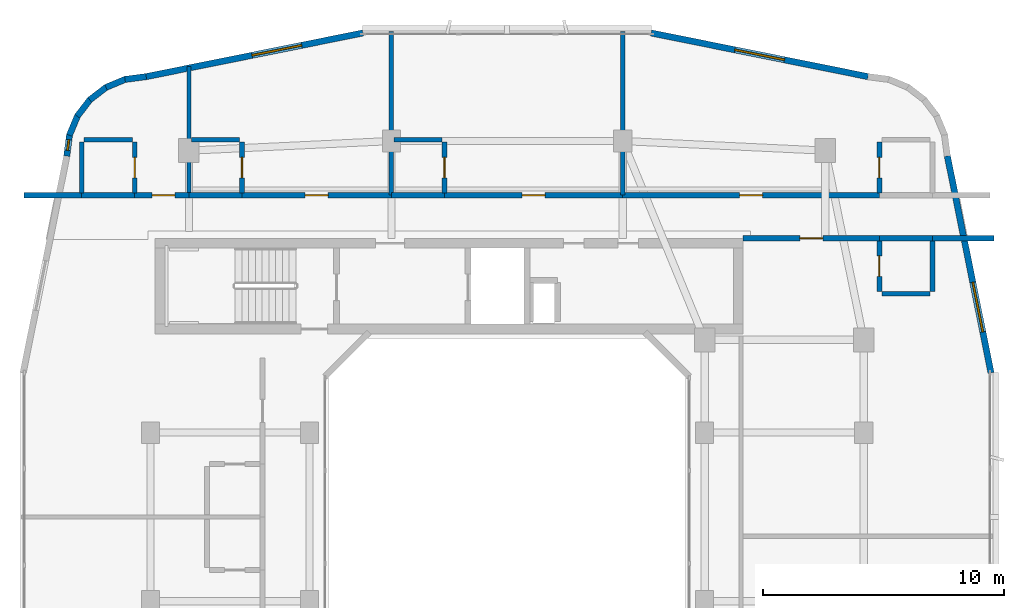
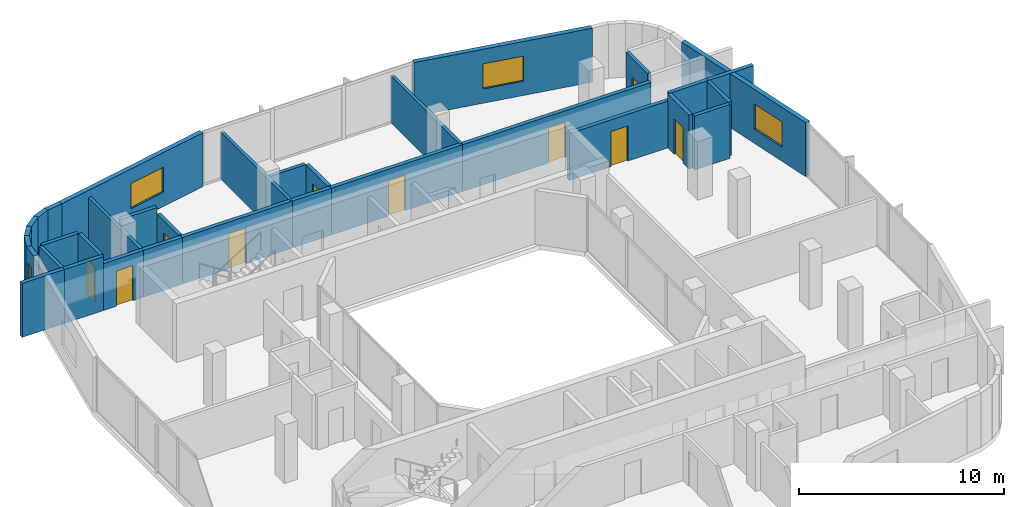
# One storey, part 9 of 14: 34 walls, 10 doors, 4 windows, 14 openings.
"""IFC4 building model written with IfcOpenShell, lengths in metres."""

from ifc_helpers import new_model, si_unit, derived_unit, direction, frame, frame_2d, origin, place, context, subcontext, project, spatial, rectangle, extrude, material, layer, layer_set, type_object, element, fill, save


model = new_model("IFC4")

# Units and contexts
model_context = context("Model", 3, precision=1e-05, world=origin(), true_north=direction((0.0, 1.0)))
body_context = subcontext(model_context, "Body", "Model", "MODEL_VIEW")
ifc_project = project(units=[si_unit("LENGTHUNIT", "METRE"), si_unit("AREAUNIT", "SQUARE_METRE"), si_unit("VOLUMEUNIT", "CUBIC_METRE"), si_unit("PLANEANGLEUNIT", "RADIAN"), si_unit("MASSUNIT", "GRAM", prefix="KILO"), derived_unit("THERMALTRANSMITTANCEUNIT", [(si_unit("POWERUNIT", "WATT"), 1), (si_unit("LENGTHUNIT", "METRE"), -2), (si_unit("THERMODYNAMICTEMPERATUREUNIT", "KELVIN"), -1)])], contexts=[model_context])

# Site, building, storey
site_placement = place(None, origin())
site = spatial("IfcSite", under=ifc_project, at=site_placement, CompositionType="ELEMENT")
building_placement = place(site_placement, origin())
building = spatial("IfcBuilding", under=site, at=building_placement, Name="Kivonza Crest Hotel", CompositionType="ELEMENT")
storey_placement = place(building_placement, frame((0.0, 0.0, 162.5)))
storey = spatial("IfcBuildingStorey", under=building, at=storey_placement, Name="L44", CompositionType="ELEMENT", Elevation=162.5)

# Walls
ifc_material_1 = material(Name="High-density acoustic masonry inter-tenancy wall", Category="masonry")
ifc_layer_1 = layer(ifc_material_1, 0.179931640625)
ifc_layer_set_1 = layer_set([ifc_layer_1], Name="High-density acoustic masonry inter-tenancy wall")
wall_type_1 = type_object("IfcWallType", Name="WL-ACOU-180", PredefinedType="SOLIDWALL", material=ifc_layer_set_1)
wall_1_placement = place(storey_placement, frame((7.800048828125, 38.35009765625, 0.0), z_axis=(0.0, 0.0, 1.0), x_axis=(0.0, 1.0, 0.0)))
element("IfcWall", 1, at=wall_1_placement, inside=storey, type_object=wall_type_1, Name="L44 interior partition WA-L44-T1N-DIV1", PredefinedType="SOLIDWALL", context=body_context, shape_type="SweptSolid", body=[
    extrude(rectangle(XDim=5.350830078125, YDim=0.179931640625, at=frame_2d((2.67529296875, 0.0))), origin(), (0.0, 0.0, 1.0), 2.794921875),
])
for number, where, z_axis, x_axis, name in (
    (2, (16.199951171875, 38.35009765625, 0.0), (0.0, 0.0, 1.0), (0.0, 1.0, 0.0), "L44 interior partition WA-L44-T1N-DIV2"),
    (3, (25.800048828125, 38.35009765625, 0.0), (0.0, 0.0, 1.0), (0.0, 1.0, 0.0), "L44 interior partition WA-L44-T1N-DIV3"),
):
    element("IfcWall", number, at=place(storey_placement, frame(where, z_axis=z_axis, x_axis=x_axis)), inside=storey, type_object=wall_type_1, Name=name, PredefinedType="SOLIDWALL", context=body_context, shape_type="SweptSolid", body=[
        extrude(rectangle(XDim=6.789794921875, YDim=0.179931640625, at=frame_2d((3.39501953125, 0.0))), origin(), (0.0, 0.0, 1.0), 2.794921875),
    ])
ifc_material_2 = material(Name="Autoclaved aerated concrete blockwork", Category="masonry")
ifc_layer_2 = layer(ifc_material_2, 0.219970703125)
ifc_layer_set_2 = layer_set([ifc_layer_2], Name="Autoclaved aerated concrete blockwork")
wall_type_2 = type_object("IfcWallType", Name="WL-ACOU-220", PredefinedType="SOLIDWALL", material=ifc_layer_set_2)
wall_2_placement = place(storey_placement, frame((0.9599609375, 38.35009765625, 0.0), z_axis=(0.0, 0.0, 1.0), x_axis=(1.0, 0.0, 0.0)))
element("IfcWall", 4, at=wall_2_placement, inside=storey, type_object=wall_type_2, Name="L44 interior partition WA-L44-N01-XCORR", PredefinedType="SOLIDWALL", context=body_context, shape_type="SweptSolid", body=[
    extrude(rectangle(XDim=2.39013671875, YDim=0.219970703125, at=frame_2d((1.195068359375, 0.0))), origin(), (0.0, 0.0, 1.0), 3.219970703125),
])
wall_3_placement = place(storey_placement, frame((3.35009765625, 38.35009765625, 0.0), z_axis=(0.0, 0.0, 1.0), x_axis=(1.0, 0.0, 0.0)))
element("IfcWall", 5, at=wall_3_placement, inside=storey, type_object=wall_type_2, Name="L44 interior partition WA-L44-N01-BCORR", PredefinedType="SOLIDWALL", context=body_context, shape_type="SweptSolid", body=[
    extrude(rectangle(XDim=2.199951171875, YDim=0.219970703125, at=frame_2d((1.10009765625, 0.0))), origin(), (0.0, 0.0, 1.0), 3.219970703125),
])

# Wall, opening, door
wall_4_placement = place(storey_placement, frame((5.550048828125, 38.35009765625, 0.0), z_axis=(0.0, 0.0, 1.0), x_axis=(1.0, 0.0, 0.0)))
wall_4 = element("IfcWall", 6, at=wall_4_placement, inside=storey, type_object=wall_type_2, Name="L44 interior partition WA-L44-N01-MCORR", PredefinedType="SOLIDWALL", context=body_context, shape_type="SweptSolid", body=[
    extrude(rectangle(XDim=2.25, YDim=0.219970703125, at=frame_2d((1.125, 0.0))), origin(), (0.0, 0.0, 1.0), 2.794921875),
])
opening_1_placement = place(wall_4_placement, frame((0.719970703125, 0.0, 0.0)))
opening_1 = element("IfcOpeningElement", 7, at=opening_1_placement, cuts=wall_4, Name="Opening DU-60", PredefinedType="OPENING", context=body_context, shape_type="SweptSolid", body=[
    extrude(rectangle(XDim=0.949951171875, YDim=2.10009765625, at=frame_2d((0.47509765625, 1.050048828125))), frame((0.0, 0.1201171875, 0.0), z_axis=(0.0, -1.0, 0.0), x_axis=(1.0, 0.0, 0.0)), (0.0, 0.0, 1.0), 0.239990234375),
])
ifc_material_3 = material(Name="Hardwood timber oak", Category="wood")
door_type_1 = type_object("IfcDoorType", Name="DR-UNIT-950", OperationType="NOTDEFINED", PredefinedType="DOOR", material=ifc_material_3)
door_1_placement = place(opening_1_placement, origin())
door_1 = element("IfcDoor", 8, at=door_1_placement, inside=storey, type_object=door_type_1, Name="L44 N01 guest unit entrance fire door", OperationType="SINGLE_SWING_LEFT", OverallHeight=2.10009765625, OverallWidth=0.949951171875, PredefinedType="DOOR", context=body_context, shape_type="SweptSolid", body=[
    extrude(rectangle(XDim=0.949951171875, YDim=2.10009765625, at=frame_2d((0.47509765625, 1.050048828125))), frame((0.0, 0.02490234375, 0.0), z_axis=(0.0, -1.0, 0.0), x_axis=(1.0, 0.0, 0.0)), (0.0, 0.0, 1.0), 0.050048828125),
])
fill(opening_1, door_1)

# Wall
wall_5_placement = place(storey_placement, frame((7.800048828125, 38.35009765625, 0.0), z_axis=(0.0, 0.0, 1.0), x_axis=(1.0, 0.0, 0.0)))
element("IfcWall", 9, at=wall_5_placement, inside=storey, type_object=wall_type_2, Name="L44 interior partition WA-L44-N02-BCORR", PredefinedType="SOLIDWALL", context=body_context, shape_type="SweptSolid", body=[
    extrude(rectangle(XDim=2.199951171875, YDim=0.219970703125, at=frame_2d((1.10009765625, 0.0))), origin(), (0.0, 0.0, 1.0), 2.794921875),
])

# Wall, opening, door
wall_6_placement = place(storey_placement, frame((10.0, 38.35009765625, 0.0), z_axis=(0.0, 0.0, 1.0), x_axis=(1.0, 0.0, 0.0)))
wall_6 = element("IfcWall", 10, at=wall_6_placement, inside=storey, type_object=wall_type_2, Name="L44 interior partition WA-L44-N02-MCORR", PredefinedType="SOLIDWALL", context=body_context, shape_type="SweptSolid", body=[
    extrude(rectangle(XDim=6.199951171875, YDim=0.219970703125, at=frame_2d((3.10009765625, 0.0))), origin(), (0.0, 0.0, 1.0), 2.794921875),
])
opening_2_placement = place(wall_6_placement, frame((2.625, 0.0, 0.0)))
opening_2 = element("IfcOpeningElement", 11, at=opening_2_placement, cuts=wall_6, Name="Opening DU-60", PredefinedType="OPENING", context=body_context, shape_type="SweptSolid", body=[
    extrude(rectangle(XDim=0.949951171875, YDim=2.10009765625, at=frame_2d((0.47509765625, 1.050048828125))), frame((0.0, 0.1201171875, 0.0), z_axis=(0.0, -1.0, 0.0), x_axis=(1.0, 0.0, 0.0)), (0.0, 0.0, 1.0), 0.239990234375),
])
door_2_placement = place(opening_2_placement, origin())
door_2 = element("IfcDoor", 12, at=door_2_placement, inside=storey, type_object=door_type_1, Name="L44 N02 guest unit entrance fire door", OperationType="SINGLE_SWING_RIGHT", OverallHeight=2.10009765625, OverallWidth=0.949951171875, PredefinedType="DOOR", context=body_context, shape_type="SweptSolid", body=[
    extrude(rectangle(XDim=0.949951171875, YDim=2.10009765625, at=frame_2d((0.47509765625, 1.050048828125))), frame((0.0, 0.02490234375, 0.0), z_axis=(0.0, -1.0, 0.0), x_axis=(1.0, 0.0, 0.0)), (0.0, 0.0, 1.0), 0.050048828125),
])
fill(opening_2, door_2)

# Wall
wall_7_placement = place(storey_placement, frame((16.199951171875, 38.35009765625, 0.0), z_axis=(0.0, 0.0, 1.0), x_axis=(1.0, 0.0, 0.0)))
element("IfcWall", 13, at=wall_7_placement, inside=storey, type_object=wall_type_2, Name="L44 interior partition WA-L44-N03-BCORR", PredefinedType="SOLIDWALL", context=body_context, shape_type="SweptSolid", body=[
    extrude(rectangle(XDim=2.199951171875, YDim=0.219970703125, at=frame_2d((1.10009765625, 0.0))), origin(), (0.0, 0.0, 1.0), 2.794921875),
])

# Wall, opening, door
wall_8_placement = place(storey_placement, frame((18.39990234375, 38.35009765625, 0.0), z_axis=(0.0, 0.0, 1.0), x_axis=(1.0, 0.0, 0.0)))
wall_8 = element("IfcWall", 14, at=wall_8_placement, inside=storey, type_object=wall_type_2, Name="L44 interior partition WA-L44-N03-MCORR", PredefinedType="SOLIDWALL", context=body_context, shape_type="SweptSolid", body=[
    extrude(rectangle(XDim=7.400146484375, YDim=0.219970703125, at=frame_2d((3.7001953125, 0.0))), origin(), (0.0, 0.0, 1.0), 2.794921875),
])
opening_3_placement = place(wall_8_placement, frame((3.22509765625, 0.0, 0.0)))
opening_3 = element("IfcOpeningElement", 15, at=opening_3_placement, cuts=wall_8, Name="Opening DU-60", PredefinedType="OPENING", context=body_context, shape_type="SweptSolid", body=[
    extrude(rectangle(XDim=0.949951171875, YDim=2.10009765625, at=frame_2d((0.47509765625, 1.050048828125))), frame((0.0, 0.1201171875, 0.0), z_axis=(0.0, -1.0, 0.0), x_axis=(1.0, 0.0, 0.0)), (0.0, 0.0, 1.0), 0.239990234375),
])
door_3_placement = place(opening_3_placement, origin())
door_3 = element("IfcDoor", 16, at=door_3_placement, inside=storey, type_object=door_type_1, Name="L44 N03 guest unit entrance fire door", OperationType="SINGLE_SWING_LEFT", OverallHeight=2.10009765625, OverallWidth=0.949951171875, PredefinedType="DOOR", context=body_context, shape_type="SweptSolid", body=[
    extrude(rectangle(XDim=0.949951171875, YDim=2.10009765625, at=frame_2d((0.47509765625, 1.050048828125))), frame((0.0, 0.02490234375, 0.0), z_axis=(0.0, -1.0, 0.0), x_axis=(1.0, 0.0, 0.0)), (0.0, 0.0, 1.0), 0.050048828125),
])
fill(opening_3, door_3)

wall_9_placement = place(storey_placement, frame((25.800048828125, 38.35009765625, 0.0), z_axis=(0.0, 0.0, 1.0), x_axis=(1.0, 0.0, 0.0)))
wall_9 = element("IfcWall", 17, at=wall_9_placement, inside=storey, type_object=wall_type_2, Name="L44 interior partition WA-L44-N04-MCORR", PredefinedType="SOLIDWALL", context=body_context, shape_type="SweptSolid", body=[
    extrude(rectangle(XDim=10.64990234375, YDim=0.219970703125, at=frame_2d((5.324951171875, 0.0))), origin(), (0.0, 0.0, 1.0), 2.794921875),
])
opening_4_placement = place(wall_9_placement, frame((4.85009765625, 0.0, 0.0)))
opening_4 = element("IfcOpeningElement", 18, at=opening_4_placement, cuts=wall_9, Name="Opening DU-60", PredefinedType="OPENING", context=body_context, shape_type="SweptSolid", body=[
    extrude(rectangle(XDim=0.949951171875, YDim=2.10009765625, at=frame_2d((0.47509765625, 1.050048828125))), frame((0.0, 0.1201171875, 0.0), z_axis=(0.0, -1.0, 0.0), x_axis=(1.0, 0.0, 0.0)), (0.0, 0.0, 1.0), 0.239990234375),
])
door_4_placement = place(opening_4_placement, origin())
door_4 = element("IfcDoor", 19, at=door_4_placement, inside=storey, type_object=door_type_1, Name="L44 N04 guest unit entrance fire door", OperationType="SINGLE_SWING_RIGHT", OverallHeight=2.10009765625, OverallWidth=0.949951171875, PredefinedType="DOOR", context=body_context, shape_type="SweptSolid", body=[
    extrude(rectangle(XDim=0.949951171875, YDim=2.10009765625, at=frame_2d((0.47509765625, 1.050048828125))), frame((0.0, 0.02490234375, 0.0), z_axis=(0.0, -1.0, 0.0), x_axis=(1.0, 0.0, 0.0)), (0.0, 0.0, 1.0), 0.050048828125),
])
fill(opening_4, door_4)

# Walls
wall_10_placement = place(storey_placement, frame((38.64990234375, 36.56005859375, 0.0), z_axis=(0.0, 0.0, 1.0), x_axis=(1.0, 0.0, 0.0)))
element("IfcWall", 20, at=wall_10_placement, inside=storey, type_object=wall_type_2, Name="L44 interior partition WA-L44-EN10-XCORR", PredefinedType="SOLIDWALL", context=body_context, shape_type="SweptSolid", body=[
    extrude(rectangle(XDim=2.550048828125, YDim=0.219970703125, at=frame_2d((1.27490234375, 0.0))), origin(), (0.0, 0.0, 1.0), 3.219970703125),
])
wall_11_placement = place(storey_placement, frame((36.449951171875, 36.56005859375, 0.0), z_axis=(0.0, 0.0, 1.0), x_axis=(1.0, 0.0, 0.0)))
element("IfcWall", 21, at=wall_11_placement, inside=storey, type_object=wall_type_2, Name="L44 interior partition WA-L44-EN10-BCORR", PredefinedType="SOLIDWALL", context=body_context, shape_type="SweptSolid", body=[
    extrude(rectangle(XDim=2.199951171875, YDim=0.219970703125, at=frame_2d((1.10009765625, 0.0))), origin(), (0.0, 0.0, 1.0), 3.219970703125),
])

# Wall, opening, door
wall_12_placement = place(storey_placement, frame((30.800048828125, 36.56005859375, 0.0), z_axis=(0.0, 0.0, 1.0), x_axis=(1.0, 0.0, 0.0)))
wall_12 = element("IfcWall", 22, at=wall_12_placement, inside=storey, type_object=wall_type_2, Name="L44 interior partition WA-L44-EN10-MCORR", PredefinedType="SOLIDWALL", context=body_context, shape_type="SweptSolid", body=[
    extrude(rectangle(XDim=5.64990234375, YDim=0.219970703125, at=frame_2d((2.824951171875, 0.0))), origin(), (0.0, 0.0, 1.0), 2.794921875),
])
opening_5_placement = place(wall_12_placement, frame((2.35009765625, 0.0, 0.0)))
opening_5 = element("IfcOpeningElement", 23, at=opening_5_placement, cuts=wall_12, Name="Opening DU-60", PredefinedType="OPENING", context=body_context, shape_type="SweptSolid", body=[
    extrude(rectangle(XDim=0.949951171875, YDim=2.10009765625, at=frame_2d((0.47509765625, 1.050048828125))), frame((0.0, 0.1201171875, 0.0), z_axis=(0.0, -1.0, 0.0), x_axis=(1.0, 0.0, 0.0)), (0.0, 0.0, 1.0), 0.239990234375),
])
door_5_placement = place(opening_5_placement, frame((0.949951171875, 0.0, 0.0), z_axis=(0.0, 0.0, 1.0), x_axis=(-1.0, 0.0, 0.0)))
door_5 = element("IfcDoor", 24, at=door_5_placement, inside=storey, type_object=door_type_1, Name="L44 EN10 guest unit entrance fire door", OperationType="SINGLE_SWING_LEFT", OverallHeight=2.10009765625, OverallWidth=0.949951171875, PredefinedType="DOOR", context=body_context, shape_type="SweptSolid", body=[
    extrude(rectangle(XDim=0.949951171875, YDim=2.10009765625, at=frame_2d((0.47509765625, 1.050048828125))), frame((0.0, 0.02490234375, 0.0), z_axis=(0.0, -1.0, 0.0), x_axis=(1.0, 0.0, 0.0)), (0.0, 0.0, 1.0), 0.050048828125),
])
fill(opening_5, door_5)

# Wall, opening, window
ifc_material_4 = material(Name="Precast concrete C40/50", Category="concrete")
ifc_layer_3 = layer(ifc_material_4, 0.260009765625)
ifc_layer_set_3 = layer_set([ifc_layer_3], Name="Precast concrete C40/50")
wall_type_3 = type_object("IfcWallType", Name="WL-EXT-260", PredefinedType="STANDARD", material=ifc_layer_set_3)
wall_13_placement = place(storey_placement, frame((41.083984375, 30.97998046875, 0.0), z_axis=(0.0, 0.0, 1.0), x_axis=(-0.197435082048, 0.980315963543, 0.0)))
wall_13 = element("IfcWall", 25, at=wall_13_placement, inside=storey, type_object=wall_type_3, Name="L44 T1 exterior insulated wall 18", PredefinedType="STANDARD", context=body_context, shape_type="SweptSolid", body=[
    extrude(rectangle(XDim=9.1826171875, YDim=0.260009765625, at=frame_2d((4.59130859375, 0.0))), origin(), (0.0, 0.0, 1.0), 3.219970703125),
])
opening_6_placement = place(wall_13_placement, frame((1.73388671875, 0.0, 0.85009765625)))
opening_6 = element("IfcOpeningElement", 26, at=opening_6_placement, cuts=wall_13, Name="Opening WN-04", PredefinedType="OPENING", context=body_context, shape_type="SweptSolid", body=[
    extrude(rectangle(XDim=2.10009765625, YDim=1.5, at=frame_2d((1.050048828125, 0.75))), frame((0.0, 0.14013671875, 0.0), z_axis=(0.0, -1.0, 0.0), x_axis=(1.0, 0.0, 0.0)), (0.0, 0.0, 1.0), 0.280029296875),
])
ifc_material_5 = material(Name="Thermally broken bronze aluminium and low-E double glazing", Category="aluminium")
window_type_1 = type_object("IfcWindowType", Name="WN-210x150", PartitioningType="DOUBLE_PANEL_VERTICAL", PredefinedType="WINDOW", material=ifc_material_5)
window_1_placement = place(opening_6_placement, origin())
window_1 = element("IfcWindow", 27, at=window_1_placement, inside=storey, type_object=window_type_1, Name="L44 T1 facade window 18", OverallHeight=1.5, OverallWidth=2.10009765625, PartitioningType="SINGLE_PANEL", PredefinedType="WINDOW", context=body_context, shape_type="SweptSolid", body=[
    extrude(rectangle(XDim=2.10009765625, YDim=1.5, at=frame_2d((1.050048828125, 0.75))), frame((0.0, 0.030029296875, 0.0), z_axis=(0.0, -1.0, 0.0), x_axis=(1.0, 0.0, 0.0)), (0.0, 0.0, 1.0), 0.06005859375),
])
fill(opening_6, window_1)

wall_14_placement = place(storey_placement, frame((35.98193359375, 43.27099609375, 0.0), z_axis=(0.0, 0.0, 1.0), x_axis=(-0.980315963543, 0.197435082048, 0.0)))
wall_14 = element("IfcWall", 28, at=wall_14_placement, inside=storey, type_object=wall_type_3, Name="L44 T1 exterior insulated wall 25", PredefinedType="STANDARD", context=body_context, shape_type="SweptSolid", body=[
    extrude(rectangle(XDim=9.1826171875, YDim=0.260009765625, at=frame_2d((4.59130859375, 0.0))), origin(), (0.0, 0.0, 1.0), 3.219970703125),
])
opening_7_placement = place(wall_14_placement, frame((3.541015625, 0.0, 0.85009765625)))
opening_7 = element("IfcOpeningElement", 29, at=opening_7_placement, cuts=wall_14, Name="Opening WN-04", PredefinedType="OPENING", context=body_context, shape_type="SweptSolid", body=[
    extrude(rectangle(XDim=2.10009765625, YDim=1.5, at=frame_2d((1.050048828125, 0.75))), frame((0.0, 0.14013671875, 0.0), z_axis=(0.0, -1.0, 0.0), x_axis=(1.0, 0.0, 0.0)), (0.0, 0.0, 1.0), 0.280029296875),
])
window_2_placement = place(opening_7_placement, origin())
window_2 = element("IfcWindow", 30, at=window_2_placement, inside=storey, type_object=window_type_1, Name="L44 T1 facade window 25", OverallHeight=1.5, OverallWidth=2.10009765625, PartitioningType="SINGLE_PANEL", PredefinedType="WINDOW", context=body_context, shape_type="SweptSolid", body=[
    extrude(rectangle(XDim=2.10009765625, YDim=1.5, at=frame_2d((1.050048828125, 0.75))), frame((0.0, 0.030029296875, 0.0), z_axis=(0.0, -1.0, 0.0), x_axis=(1.0, 0.0, 0.0)), (0.0, 0.0, 1.0), 0.06005859375),
])
fill(opening_7, window_2)

wall_15_placement = place(storey_placement, frame((15.02001953125, 45.083984375, 0.0), z_axis=(0.0, 0.0, 1.0), x_axis=(-0.980315963543, -0.197435082048, 0.0)))
wall_15 = element("IfcWall", 31, at=wall_15_placement, inside=storey, type_object=wall_type_3, Name="L44 T1 exterior insulated wall 27", PredefinedType="STANDARD", context=body_context, shape_type="SweptSolid", body=[
    extrude(rectangle(XDim=9.1826171875, YDim=0.260009765625, at=frame_2d((4.59130859375, 0.0))), origin(), (0.0, 0.0, 1.0), 3.219970703125),
])
opening_8_placement = place(wall_15_placement, frame((2.594970703125, 0.0, 0.85009765625)))
opening_8 = element("IfcOpeningElement", 32, at=opening_8_placement, cuts=wall_15, Name="Opening WN-04", PredefinedType="OPENING", context=body_context, shape_type="SweptSolid", body=[
    extrude(rectangle(XDim=2.10009765625, YDim=1.5, at=frame_2d((1.050048828125, 0.75))), frame((0.0, 0.14013671875, 0.0), z_axis=(0.0, -1.0, 0.0), x_axis=(1.0, 0.0, 0.0)), (0.0, 0.0, 1.0), 0.280029296875),
])
window_3_placement = place(opening_8_placement, origin())
window_3 = element("IfcWindow", 33, at=window_3_placement, inside=storey, type_object=window_type_1, Name="L44 T1 facade window 27", OverallHeight=1.5, OverallWidth=2.10009765625, PartitioningType="SINGLE_PANEL", PredefinedType="WINDOW", context=body_context, shape_type="SweptSolid", body=[
    extrude(rectangle(XDim=2.10009765625, YDim=1.5, at=frame_2d((1.050048828125, 0.75))), frame((0.0, 0.030029296875, 0.0), z_axis=(0.0, -1.0, 0.0), x_axis=(1.0, 0.0, 0.0)), (0.0, 0.0, 1.0), 0.06005859375),
])
fill(opening_8, window_3)

# Walls
wall_16_placement = place(storey_placement, frame((6.02490234375, 43.27197265625, 0.0), z_axis=(0.0, 0.0, 1.0), x_axis=(-0.991388484223, -0.130953706898, 0.0)))
element("IfcWall", 34, at=wall_16_placement, inside=storey, type_object=wall_type_3, Name="L44 T1 exterior insulated wall 28", PredefinedType="STANDARD", context=body_context, shape_type="SweptSolid", body=[
    extrude(rectangle(XDim=0.885498046875, YDim=0.260009765625, at=frame_2d((0.44287109375, 0.0))), origin(), (0.0, 0.0, 1.0), 3.219970703125),
])
wall_17_placement = place(storey_placement, frame((5.193115234375, 43.174072265625, 0.0), z_axis=(0.0, 0.0, 1.0), x_axis=(-0.923627776508, -0.383290660547, 0.0)))
element("IfcWall", 35, at=wall_17_placement, inside=storey, type_object=wall_type_3, Name="L44 T1 exterior insulated wall 29", PredefinedType="STANDARD", context=body_context, shape_type="SweptSolid", body=[
    extrude(rectangle(XDim=0.9033203125, YDim=0.260009765625, at=frame_2d((0.45166015625, 0.0))), origin(), (0.0, 0.0, 1.0), 3.219970703125),
])
wall_18_placement = place(storey_placement, frame((4.39892578125, 42.85595703125, 0.0), z_axis=(0.0, 0.0, 1.0), x_axis=(-0.793458244748, -0.608624690463, 0.0)))
element("IfcWall", 36, at=wall_18_placement, inside=storey, type_object=wall_type_3, Name="L44 T1 exterior insulated wall 30", PredefinedType="STANDARD", context=body_context, shape_type="SweptSolid", body=[
    extrude(rectangle(XDim=0.902099609375, YDim=0.260009765625, at=frame_2d((0.451171875, 0.0))), origin(), (0.0, 0.0, 1.0), 3.219970703125),
])
wall_19_placement = place(storey_placement, frame((3.714111328125, 42.344970703125, 0.0), z_axis=(0.0, 0.0, 1.0), x_axis=(-0.608494022858, -0.793558456666, 0.0)))
element("IfcWall", 37, at=wall_19_placement, inside=storey, type_object=wall_type_3, Name="L44 T1 exterior insulated wall 31", PredefinedType="STANDARD", context=body_context, shape_type="SweptSolid", body=[
    extrude(rectangle(XDim=0.90234375, YDim=0.260009765625, at=frame_2d((0.451171875, 0.0))), origin(), (0.0, 0.0, 1.0), 3.219970703125),
])
wall_20_placement = place(storey_placement, frame((3.18603515625, 41.673095703125, 0.0), z_axis=(0.0, 0.0, 1.0), x_axis=(-0.383155708213, -0.923683767999, 0.0)))
element("IfcWall", 38, at=wall_20_placement, inside=storey, type_object=wall_type_3, Name="L44 T1 exterior insulated wall 32", PredefinedType="STANDARD", context=body_context, shape_type="SweptSolid", body=[
    extrude(rectangle(XDim=0.90283203125, YDim=0.260009765625, at=frame_2d((0.451416015625, 0.0))), origin(), (0.0, 0.0, 1.0), 3.219970703125),
])

# Wall, opening, window
wall_21_placement = place(storey_placement, frame((2.847900390625, 40.887939453125, 0.0), z_axis=(0.0, 0.0, 1.0), x_axis=(-0.130200706103, -0.991487658083, 0.0)))
wall_21 = element("IfcWall", 39, at=wall_21_placement, inside=storey, type_object=wall_type_3, Name="L44 T1 exterior insulated wall 33", PredefinedType="STANDARD", context=body_context, shape_type="SweptSolid", body=[
    extrude(rectangle(XDim=0.920654296875, YDim=0.260009765625, at=frame_2d((0.46044921875, 0.0))), origin(), (0.0, 0.0, 1.0), 3.219970703125),
])
opening_9_placement = place(wall_21_placement, frame((0.235107421875, 0.0, 0.85009765625)))
opening_9 = element("IfcOpeningElement", 40, at=opening_9_placement, cuts=wall_21, Name="Opening WN-11", PredefinedType="OPENING", context=body_context, shape_type="SweptSolid", body=[
    extrude(rectangle(XDim=0.449951171875, YDim=1.5, at=frame_2d((0.22509765625, 0.75))), frame((0.0, 0.14013671875, 0.0), z_axis=(0.0, -1.0, 0.0), x_axis=(1.0, 0.0, 0.0)), (0.0, 0.0, 1.0), 0.280029296875),
])
window_type_2 = type_object("IfcWindowType", Name="WN-045x150", PartitioningType="SINGLE_PANEL", PredefinedType="WINDOW", material=ifc_material_5)
window_4_placement = place(opening_9_placement, origin())
window_4 = element("IfcWindow", 41, at=window_4_placement, inside=storey, type_object=window_type_2, Name="L44 corner vision window 1", OverallHeight=1.5, OverallWidth=0.449951171875, PartitioningType="SINGLE_PANEL", PredefinedType="WINDOW", context=body_context, shape_type="SweptSolid", body=[
    extrude(rectangle(XDim=0.449951171875, YDim=1.5, at=frame_2d((0.22509765625, 0.75))), frame((0.0, 0.030029296875, 0.0), z_axis=(0.0, -1.0, 0.0), x_axis=(1.0, 0.0, 0.0)), (0.0, 0.0, 1.0), 0.06005859375),
])
fill(opening_9, window_4)

# Wall, opening, door
ifc_material_6 = material(Name="Moisture-resistant plumbing chase partition wall", Category="gypsum")
ifc_layer_4 = layer(ifc_material_6, 0.199951171875)
ifc_layer_set_4 = layer_set([ifc_layer_4], Name="Moisture-resistant plumbing chase partition wall")
wall_type_4 = type_object("IfcWallType", Name="WL-PLUMB-200", PredefinedType="PLUMBINGWALL", material=ifc_layer_set_4)
wall_22_placement = place(storey_placement, frame((5.550048828125, 38.449951171875, 0.0), z_axis=(0.0, 0.0, 1.0), x_axis=(0.0, 1.0, 0.0)))
wall_22 = element("IfcWall", 42, at=wall_22_placement, inside=storey, type_object=wall_type_4, Name="L44 interior partition WW-L44-N01-BV", PredefinedType="PLUMBINGWALL", context=body_context, shape_type="SweptSolid", body=[
    extrude(rectangle(XDim=2.10009765625, YDim=0.199951171875, at=frame_2d((1.050048828125, 0.0))), origin(), (0.0, 0.0, 1.0), 3.219970703125),
])
opening_10_placement = place(wall_22_placement, frame((0.625, 0.0, 0.0)))
opening_10 = element("IfcOpeningElement", 43, at=opening_10_placement, cuts=wall_22, Name="Opening DI-85", PredefinedType="OPENING", context=body_context, shape_type="SweptSolid", body=[
    extrude(rectangle(XDim=0.85009765625, YDim=2.10009765625, at=frame_2d((0.425048828125, 1.050048828125))), frame((0.0, 0.10986328125, 0.0), z_axis=(0.0, -1.0, 0.0), x_axis=(1.0, 0.0, 0.0)), (0.0, 0.0, 1.0), 0.219970703125),
])
door_type_2 = type_object("IfcDoorType", Name="DR-INT-850", OperationType="NOTDEFINED", PredefinedType="DOOR", material=ifc_material_3)
door_6_placement = place(opening_10_placement, frame((0.85009765625, 0.0, 0.0), z_axis=(0.0, 0.0, 1.0), x_axis=(-1.0, 0.0, 0.0)))
door_6 = element("IfcDoor", 44, at=door_6_placement, inside=storey, type_object=door_type_2, Name="L44 N01 en-suite bathroom door", OperationType="SINGLE_SWING_RIGHT", OverallHeight=2.10009765625, OverallWidth=0.85009765625, PredefinedType="DOOR", context=body_context, shape_type="SweptSolid", body=[
    extrude(rectangle(XDim=0.85009765625, YDim=2.10009765625, at=frame_2d((0.425048828125, 1.050048828125))), frame((0.0, 0.02490234375, 0.0), z_axis=(0.0, -1.0, 0.0), x_axis=(1.0, 0.0, 0.0)), (0.0, 0.0, 1.0), 0.050048828125),
])
fill(opening_10, door_6)

# Walls
wall_23_placement = place(storey_placement, frame((3.449951171875, 40.64990234375, 0.0), z_axis=(0.0, 0.0, 1.0), x_axis=(1.0, 0.0, 0.0)))
element("IfcWall", 45, at=wall_23_placement, inside=storey, type_object=wall_type_4, Name="L44 interior partition WW-L44-N01-BH", PredefinedType="PLUMBINGWALL", context=body_context, shape_type="SweptSolid", body=[
    extrude(rectangle(XDim=2.0, YDim=0.199951171875, at=frame_2d((1.0, 0.0))), origin(), (0.0, 0.0, 1.0), 3.219970703125),
])
wall_24_placement = place(storey_placement, frame((3.35009765625, 38.449951171875, 0.0), z_axis=(0.0, 0.0, 1.0), x_axis=(0.0, 1.0, 0.0)))
element("IfcWall", 46, at=wall_24_placement, inside=storey, type_object=wall_type_4, Name="L44 interior partition WW-L44-N01-BVW", PredefinedType="PLUMBINGWALL", context=body_context, shape_type="SweptSolid", body=[
    extrude(rectangle(XDim=2.10009765625, YDim=0.199951171875, at=frame_2d((1.050048828125, 0.0))), origin(), (0.0, 0.0, 1.0), 3.219970703125),
])

# Wall, opening, door
wall_25_placement = place(storey_placement, frame((10.0, 38.449951171875, 0.0), z_axis=(0.0, 0.0, 1.0), x_axis=(0.0, 1.0, 0.0)))
wall_25 = element("IfcWall", 47, at=wall_25_placement, inside=storey, type_object=wall_type_4, Name="L44 interior partition WW-L44-N02-BV", PredefinedType="PLUMBINGWALL", context=body_context, shape_type="SweptSolid", body=[
    extrude(rectangle(XDim=2.10009765625, YDim=0.199951171875, at=frame_2d((1.050048828125, 0.0))), origin(), (0.0, 0.0, 1.0), 2.8349609375),
])
opening_11_placement = place(wall_25_placement, frame((0.625, 0.0, 0.0)))
opening_11 = element("IfcOpeningElement", 48, at=opening_11_placement, cuts=wall_25, Name="Opening DI-85", PredefinedType="OPENING", context=body_context, shape_type="SweptSolid", body=[
    extrude(rectangle(XDim=0.85009765625, YDim=2.10009765625, at=frame_2d((0.425048828125, 1.050048828125))), frame((0.0, 0.10986328125, 0.0), z_axis=(0.0, -1.0, 0.0), x_axis=(1.0, 0.0, 0.0)), (0.0, 0.0, 1.0), 0.219970703125),
])
door_7_placement = place(opening_11_placement, frame((0.85009765625, 0.0, 0.0), z_axis=(0.0, 0.0, 1.0), x_axis=(-1.0, 0.0, 0.0)))
door_7 = element("IfcDoor", 49, at=door_7_placement, inside=storey, type_object=door_type_2, Name="L44 N02 en-suite bathroom door", OperationType="SINGLE_SWING_LEFT", OverallHeight=2.10009765625, OverallWidth=0.85009765625, PredefinedType="DOOR", context=body_context, shape_type="SweptSolid", body=[
    extrude(rectangle(XDim=0.85009765625, YDim=2.10009765625, at=frame_2d((0.425048828125, 1.050048828125))), frame((0.0, 0.02490234375, 0.0), z_axis=(0.0, -1.0, 0.0), x_axis=(1.0, 0.0, 0.0)), (0.0, 0.0, 1.0), 0.050048828125),
])
fill(opening_11, door_7)

# Wall
wall_26_placement = place(storey_placement, frame((7.89990234375, 40.64990234375, 0.0), z_axis=(0.0, 0.0, 1.0), x_axis=(1.0, 0.0, 0.0)))
element("IfcWall", 50, at=wall_26_placement, inside=storey, type_object=wall_type_4, Name="L44 interior partition WW-L44-N02-BH", PredefinedType="PLUMBINGWALL", context=body_context, shape_type="SweptSolid", body=[
    extrude(rectangle(XDim=2.0, YDim=0.199951171875, at=frame_2d((1.0, 0.0))), origin(), (0.0, 0.0, 1.0), 3.219970703125),
])

# Wall, opening, door
wall_27_placement = place(storey_placement, frame((18.39990234375, 38.449951171875, 0.0), z_axis=(0.0, 0.0, 1.0), x_axis=(0.0, 1.0, 0.0)))
wall_27 = element("IfcWall", 51, at=wall_27_placement, inside=storey, type_object=wall_type_4, Name="L44 interior partition WW-L44-N03-BV", PredefinedType="PLUMBINGWALL", context=body_context, shape_type="SweptSolid", body=[
    extrude(rectangle(XDim=2.10009765625, YDim=0.199951171875, at=frame_2d((1.050048828125, 0.0))), origin(), (0.0, 0.0, 1.0), 2.8349609375),
])
opening_12_placement = place(wall_27_placement, frame((0.625, 0.0, 0.0)))
opening_12 = element("IfcOpeningElement", 52, at=opening_12_placement, cuts=wall_27, Name="Opening DI-85", PredefinedType="OPENING", context=body_context, shape_type="SweptSolid", body=[
    extrude(rectangle(XDim=0.85009765625, YDim=2.10009765625, at=frame_2d((0.425048828125, 1.050048828125))), frame((0.0, 0.10986328125, 0.0), z_axis=(0.0, -1.0, 0.0), x_axis=(1.0, 0.0, 0.0)), (0.0, 0.0, 1.0), 0.219970703125),
])
door_8_placement = place(opening_12_placement, frame((0.85009765625, 0.0, 0.0), z_axis=(0.0, 0.0, 1.0), x_axis=(-1.0, 0.0, 0.0)))
door_8 = element("IfcDoor", 53, at=door_8_placement, inside=storey, type_object=door_type_2, Name="L44 N03 en-suite bathroom door", OperationType="SINGLE_SWING_RIGHT", OverallHeight=2.10009765625, OverallWidth=0.85009765625, PredefinedType="DOOR", context=body_context, shape_type="SweptSolid", body=[
    extrude(rectangle(XDim=0.85009765625, YDim=2.10009765625, at=frame_2d((0.425048828125, 1.050048828125))), frame((0.0, 0.02490234375, 0.0), z_axis=(0.0, -1.0, 0.0), x_axis=(1.0, 0.0, 0.0)), (0.0, 0.0, 1.0), 0.050048828125),
])
fill(opening_12, door_8)

# Wall
wall_28_placement = place(storey_placement, frame((16.300048828125, 40.64990234375, 0.0), z_axis=(0.0, 0.0, 1.0), x_axis=(1.0, 0.0, 0.0)))
element("IfcWall", 54, at=wall_28_placement, inside=storey, type_object=wall_type_4, Name="L44 interior partition WW-L44-N03-BH", PredefinedType="PLUMBINGWALL", context=body_context, shape_type="SweptSolid", body=[
    extrude(rectangle(XDim=2.0, YDim=0.199951171875, at=frame_2d((1.0, 0.0))), origin(), (0.0, 0.0, 1.0), 2.8349609375),
])

# Wall, opening, door
wall_29_placement = place(storey_placement, frame((36.449951171875, 38.449951171875, 0.0), z_axis=(0.0, 0.0, 1.0), x_axis=(0.0, 1.0, 0.0)))
wall_29 = element("IfcWall", 55, at=wall_29_placement, inside=storey, type_object=wall_type_4, Name="L44 interior partition WW-L44-N04-BV", PredefinedType="PLUMBINGWALL", context=body_context, shape_type="SweptSolid", body=[
    extrude(rectangle(XDim=2.10009765625, YDim=0.199951171875, at=frame_2d((1.050048828125, 0.0))), origin(), (0.0, 0.0, 1.0), 3.219970703125),
])
opening_13_placement = place(wall_29_placement, frame((0.625, 0.0, 0.0)))
opening_13 = element("IfcOpeningElement", 56, at=opening_13_placement, cuts=wall_29, Name="Opening DI-85", PredefinedType="OPENING", context=body_context, shape_type="SweptSolid", body=[
    extrude(rectangle(XDim=0.85009765625, YDim=2.10009765625, at=frame_2d((0.425048828125, 1.050048828125))), frame((0.0, 0.10986328125, 0.0), z_axis=(0.0, -1.0, 0.0), x_axis=(1.0, 0.0, 0.0)), (0.0, 0.0, 1.0), 0.219970703125),
])
door_9_placement = place(opening_13_placement, origin())
door_9 = element("IfcDoor", 57, at=door_9_placement, inside=storey, type_object=door_type_2, Name="L44 N04 en-suite bathroom door", OperationType="SINGLE_SWING_LEFT", OverallHeight=2.10009765625, OverallWidth=0.85009765625, PredefinedType="DOOR", context=body_context, shape_type="SweptSolid", body=[
    extrude(rectangle(XDim=0.85009765625, YDim=2.10009765625, at=frame_2d((0.425048828125, 1.050048828125))), frame((0.0, 0.02490234375, 0.0), z_axis=(0.0, -1.0, 0.0), x_axis=(1.0, 0.0, 0.0)), (0.0, 0.0, 1.0), 0.050048828125),
])
fill(opening_13, door_9)

wall_30_placement = place(storey_placement, frame((36.449951171875, 34.360107421875, 0.0), z_axis=(0.0, 0.0, 1.0), x_axis=(0.0, 1.0, 0.0)))
wall_30 = element("IfcWall", 58, at=wall_30_placement, inside=storey, type_object=wall_type_4, Name="L44 interior partition WW-L44-EN10-BV", PredefinedType="PLUMBINGWALL", context=body_context, shape_type="SweptSolid", body=[
    extrude(rectangle(XDim=2.099853515625, YDim=0.199951171875, at=frame_2d((1.0498046875, 0.0))), origin(), (0.0, 0.0, 1.0), 3.219970703125),
])
opening_14_placement = place(wall_30_placement, frame((0.625, 0.0, 0.0)))
opening_14 = element("IfcOpeningElement", 59, at=opening_14_placement, cuts=wall_30, Name="Opening DI-85", PredefinedType="OPENING", context=body_context, shape_type="SweptSolid", body=[
    extrude(rectangle(XDim=0.85009765625, YDim=2.10009765625, at=frame_2d((0.425048828125, 1.050048828125))), frame((0.0, 0.10986328125, 0.0), z_axis=(0.0, -1.0, 0.0), x_axis=(1.0, 0.0, 0.0)), (0.0, 0.0, 1.0), 0.219970703125),
])
door_10_placement = place(opening_14_placement, origin())
door_10 = element("IfcDoor", 60, at=door_10_placement, inside=storey, type_object=door_type_2, Name="L44 EN10 en-suite bathroom door", OperationType="SINGLE_SWING_RIGHT", OverallHeight=2.10009765625, OverallWidth=0.85009765625, PredefinedType="DOOR", context=body_context, shape_type="SweptSolid", body=[
    extrude(rectangle(XDim=0.85009765625, YDim=2.10009765625, at=frame_2d((0.425048828125, 1.050048828125))), frame((0.0, 0.02490234375, 0.0), z_axis=(0.0, -1.0, 0.0), x_axis=(1.0, 0.0, 0.0)), (0.0, 0.0, 1.0), 0.050048828125),
])
fill(opening_14, door_10)

# Walls
wall_31_placement = place(storey_placement, frame((36.550048828125, 34.260009765625, 0.0), z_axis=(0.0, 0.0, 1.0), x_axis=(1.0, 0.0, 0.0)))
element("IfcWall", 61, at=wall_31_placement, inside=storey, type_object=wall_type_4, Name="L44 interior partition WW-L44-EN10-BH", PredefinedType="PLUMBINGWALL", context=body_context, shape_type="SweptSolid", body=[
    extrude(rectangle(XDim=2.0, YDim=0.199951171875, at=frame_2d((1.0, 0.0))), origin(), (0.0, 0.0, 1.0), 3.219970703125),
])
wall_32_placement = place(storey_placement, frame((38.64990234375, 34.360107421875, 0.0), z_axis=(0.0, 0.0, 1.0), x_axis=(0.0, 1.0, 0.0)))
element("IfcWall", 62, at=wall_32_placement, inside=storey, type_object=wall_type_4, Name="L44 interior partition WW-L44-EN10-BVE", PredefinedType="PLUMBINGWALL", context=body_context, shape_type="SweptSolid", body=[
    extrude(rectangle(XDim=2.099853515625, YDim=0.199951171875, at=frame_2d((1.0498046875, 0.0))), origin(), (0.0, 0.0, 1.0), 3.219970703125),
])

save(model, "model.ifc")
